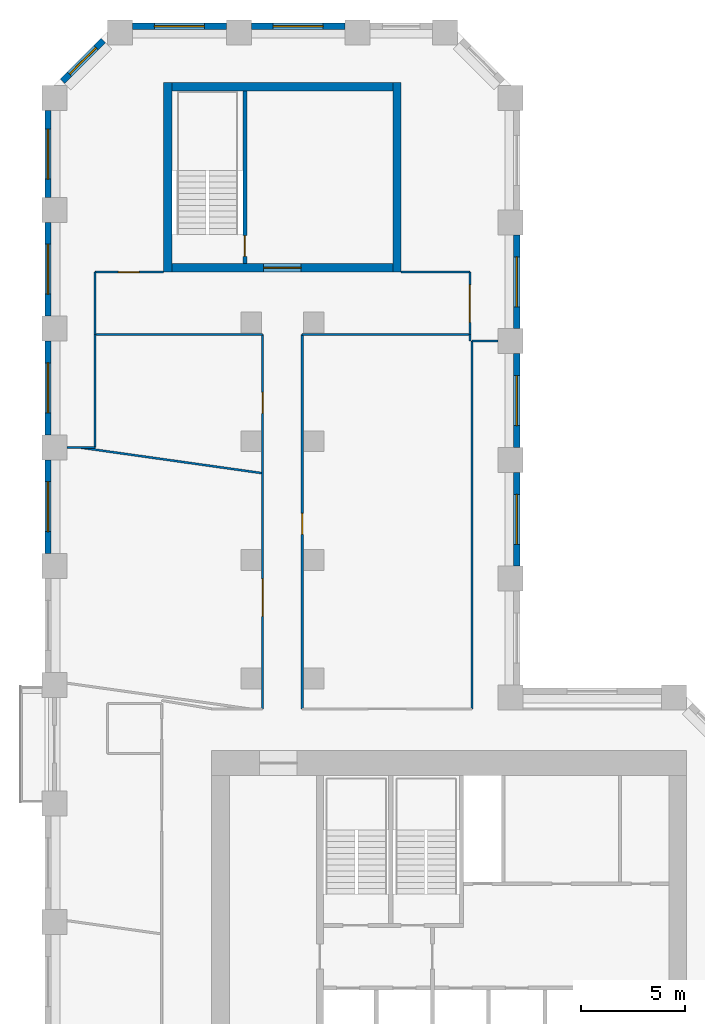
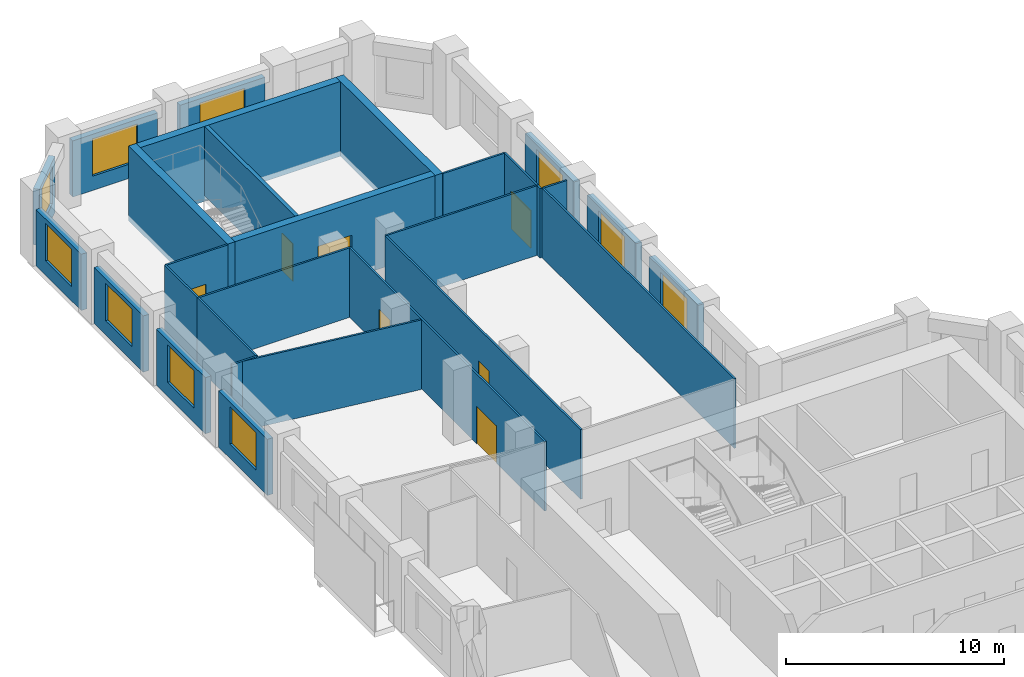
# One storey, part 8 of 10: 29 walls, 10 windows, 7 doors, 17 openings.
"""IFC4 building model written with IfcOpenShell, lengths in metres."""

from ifc_helpers import new_model, si_unit, direction, frame, frame_2d, origin, place, context, subcontext, project, spatial, rectangle, extrude, material, layer, layer_set, type_object, element, fill, save


model = new_model("IFC4")

# Units and contexts
model_context = context("Model", 3, precision=1e-05, world=origin(), true_north=direction((0.0, 1.0)))
body_context = subcontext(model_context, "Body", "Model", "MODEL_VIEW")
ifc_project = project(units=[si_unit("LENGTHUNIT", "METRE"), si_unit("AREAUNIT", "SQUARE_METRE"), si_unit("VOLUMEUNIT", "CUBIC_METRE"), si_unit("PLANEANGLEUNIT", "RADIAN"), si_unit("MASSUNIT", "GRAM", prefix="KILO")], contexts=[model_context])

# Site, building, storey
site_placement = place(None, origin())
site = spatial("IfcSite", under=ifc_project, at=site_placement, CompositionType="ELEMENT")
building_placement = place(site_placement, origin())
building = spatial("IfcBuilding", under=site, at=building_placement, Name="Meshkara Civic Tower", CompositionType="ELEMENT")
storey_placement = place(building_placement, frame((0.0, 0.0, 186.60009765625)))
storey = spatial("IfcBuildingStorey", under=building, at=storey_placement, Name="L42", CompositionType="ELEMENT", Elevation=186.60009765625)

# Walls
ifc_material_1 = material(Name="Corridor wall 100")
ifc_layer_1 = layer(ifc_material_1, 0.10009765625)
ifc_layer_set_1 = layer_set([ifc_layer_1], Name="Corridor wall 100")
wall_type_1 = type_object("IfcWallType", Name="Corridor wall 100", PredefinedType="PARTITIONING", material=ifc_layer_set_1)
wall_1_placement = place(storey_placement, frame((2.39990234375, 56.8701171875, 0.0), z_axis=(0.0, 0.0, 1.0), x_axis=(1.0, 0.0, 0.0)))
element("IfcWall", 1, at=wall_1_placement, inside=storey, type_object=wall_type_1, Name="L42-W001", PredefinedType="PARTITIONING", context=body_context, shape_type="SweptSolid", body=[
    extrude(rectangle(XDim=8.050048828125, YDim=0.10009765625, at=frame_2d((4.02490234375, 0.0))), origin(), (0.0, 0.0, 1.0), 3.89990234375),
])
wall_2_placement = place(storey_placement, frame((2.39990234375, 59.8701171875, 0.0), z_axis=(0.0, 0.0, 1.0), x_axis=(0.0, -1.0, 0.0)))
element("IfcWall", 2, at=wall_2_placement, inside=storey, type_object=wall_type_1, Name="L42-W002", PredefinedType="PARTITIONING", context=body_context, shape_type="SweptSolid", body=[
    extrude(rectangle(XDim=3.0, YDim=0.10009765625, at=frame_2d((1.5, 0.0))), origin(), (0.0, 0.0, 1.0), 3.89990234375),
])

# Wall, opening, door
wall_3_placement = place(storey_placement, frame((5.699951171875, 59.8701171875, 0.0), z_axis=(0.0, 0.0, 1.0), x_axis=(-1.0, 0.0, 0.0)))
wall_3 = element("IfcWall", 3, at=wall_3_placement, inside=storey, type_object=wall_type_1, Name="L42-W005", PredefinedType="PARTITIONING", context=body_context, shape_type="SweptSolid", body=[
    extrude(rectangle(XDim=3.300048828125, YDim=0.10009765625, at=frame_2d((1.64990234375, 0.0))), origin(), (0.0, 0.0, 1.0), 3.89990234375),
])
opening_1_placement = place(wall_3_placement, frame((1.179931640625, 0.0, 0.0)))
opening_1 = element("IfcOpeningElement", 4, at=opening_1_placement, cuts=wall_3, Name="Opening L42-D021", PredefinedType="OPENING", context=body_context, shape_type="SweptSolid", body=[
    extrude(rectangle(XDim=1.0, YDim=2.10009765625, at=frame_2d((0.5, 1.050048828125))), frame((0.0, 0.06005859375, 0.0), z_axis=(0.0, -1.0, 0.0), x_axis=(1.0, 0.0, 0.0)), (0.0, 0.0, 1.0), 0.1201171875),
])
ifc_material_2 = material(Name="Door 1000 x 2100")
door_type_1 = type_object("IfcDoorType", Name="Door 1000 x 2100", OperationType="SINGLE_SWING_LEFT", PredefinedType="DOOR", material=ifc_material_2)
door_1_placement = place(opening_1_placement, origin())
door_1 = element("IfcDoor", 5, at=door_1_placement, inside=storey, type_object=door_type_1, Name="L42-D021", OperationType="SINGLE_SWING_LEFT", OverallHeight=2.10009765625, OverallWidth=1.0, PredefinedType="DOOR", context=body_context, shape_type="SweptSolid", body=[
    extrude(rectangle(XDim=1.0, YDim=2.10009765625, at=frame_2d((0.5, 1.050048828125))), frame((0.0, 0.02490234375, 0.0), z_axis=(0.0, -1.0, 0.0), x_axis=(1.0, 0.0, 0.0)), (0.0, 0.0, 1.0), 0.050048828125),
])
fill(opening_1, door_1)

# Wall, openings, doors
wall_4_placement = place(storey_placement, frame((10.449951171875, 56.8701171875, 0.0), z_axis=(0.0, 0.0, 1.0), x_axis=(0.0, -1.0, 0.0)))
wall_4 = element("IfcWall", 6, at=wall_4_placement, inside=storey, type_object=wall_type_1, Name="L42-W013", PredefinedType="PARTITIONING", context=body_context, shape_type="SweptSolid", body=[
    extrude(rectangle(XDim=17.97021484375, YDim=0.10009765625, at=frame_2d((8.985107421875, 0.0))), origin(), (0.0, 0.0, 1.0), 3.89990234375),
])
opening_2_placement = place(wall_4_placement, frame((11.73095703125, 0.0, 0.0)))
opening_2 = element("IfcOpeningElement", 7, at=opening_2_placement, cuts=wall_4, Name="Opening L42-D018", PredefinedType="OPENING", context=body_context, shape_type="SweptSolid", body=[
    extrude(rectangle(XDim=1.800048828125, YDim=2.10009765625, at=frame_2d((0.89990234375, 1.050048828125))), frame((0.0, 0.06005859375, 0.0), z_axis=(0.0, -1.0, 0.0), x_axis=(1.0, 0.0, 0.0)), (0.0, 0.0, 1.0), 0.1201171875),
])
opening_3_placement = place(wall_4_placement, frame((2.780029296875, 0.0, 0.0)))
opening_3 = element("IfcOpeningElement", 8, at=opening_3_placement, cuts=wall_4, Name="Opening L42-D020", PredefinedType="OPENING", context=body_context, shape_type="SweptSolid", body=[
    extrude(rectangle(XDim=1.0, YDim=2.10009765625, at=frame_2d((0.5, 1.050048828125))), frame((0.0, 0.06005859375, 0.0), z_axis=(0.0, -1.0, 0.0), x_axis=(1.0, 0.0, 0.0)), (0.0, 0.0, 1.0), 0.1201171875),
])
door_2_placement = place(opening_3_placement, origin())
door_2 = element("IfcDoor", 9, at=door_2_placement, inside=storey, type_object=door_type_1, Name="L42-D020", OperationType="SINGLE_SWING_RIGHT", OverallHeight=2.10009765625, OverallWidth=1.0, PredefinedType="DOOR", context=body_context, shape_type="SweptSolid", body=[
    extrude(rectangle(XDim=1.0, YDim=2.10009765625, at=frame_2d((0.5, 1.050048828125))), frame((0.0, 0.02490234375, 0.0), z_axis=(0.0, -1.0, 0.0), x_axis=(1.0, 0.0, 0.0)), (0.0, 0.0, 1.0), 0.050048828125),
])
fill(opening_3, door_2)
ifc_material_3 = material(Name="Door pair 1800 x 2100")
door_type_2 = type_object("IfcDoorType", Name="Door pair 1800 x 2100", OperationType="SINGLE_SWING_LEFT", PredefinedType="DOOR", material=ifc_material_3)
door_3_placement = place(opening_2_placement, origin())
door_3 = element("IfcDoor", 10, at=door_3_placement, inside=storey, type_object=door_type_2, Name="L42-D018", OperationType="DOUBLE_DOOR_SINGLE_SWING", OverallHeight=2.10009765625, OverallWidth=1.800048828125, PredefinedType="DOOR", context=body_context, shape_type="SweptSolid", body=[
    extrude(rectangle(XDim=1.800048828125, YDim=2.10009765625, at=frame_2d((0.89990234375, 1.050048828125))), frame((0.0, 0.02490234375, 0.0), z_axis=(0.0, -1.0, 0.0), x_axis=(1.0, 0.0, 0.0)), (0.0, 0.0, 1.0), 0.050048828125),
])
fill(opening_2, door_3)

# Wall, opening, door
wall_5_placement = place(storey_placement, frame((12.35009765625, 38.89990234375, 0.0), z_axis=(0.0, 0.0, 1.0), x_axis=(0.0, 1.0, 0.0)))
wall_5 = element("IfcWall", 11, at=wall_5_placement, inside=storey, type_object=wall_type_1, Name="L42-W014", PredefinedType="PARTITIONING", context=body_context, shape_type="SweptSolid", body=[
    extrude(rectangle(XDim=17.97021484375, YDim=0.10009765625, at=frame_2d((8.985107421875, 0.0))), origin(), (0.0, 0.0, 1.0), 3.89990234375),
])
opening_4_placement = place(wall_5_placement, frame((8.3798828125, 0.0, 0.0)))
opening_4 = element("IfcOpeningElement", 12, at=opening_4_placement, cuts=wall_5, Name="Opening L42-D019", PredefinedType="OPENING", context=body_context, shape_type="SweptSolid", body=[
    extrude(rectangle(XDim=1.0, YDim=2.10009765625, at=frame_2d((0.5, 1.050048828125))), frame((0.0, 0.06005859375, 0.0), z_axis=(0.0, -1.0, 0.0), x_axis=(1.0, 0.0, 0.0)), (0.0, 0.0, 1.0), 0.1201171875),
])
door_4_placement = place(opening_4_placement, origin())
door_4 = element("IfcDoor", 13, at=door_4_placement, inside=storey, type_object=door_type_1, Name="L42-D019", OperationType="SINGLE_SWING_RIGHT", OverallHeight=2.10009765625, OverallWidth=1.0, PredefinedType="DOOR", context=body_context, shape_type="SweptSolid", body=[
    extrude(rectangle(XDim=1.0, YDim=2.10009765625, at=frame_2d((0.5, 1.050048828125))), frame((0.0, 0.02490234375, 0.0), z_axis=(0.0, -1.0, 0.0), x_axis=(1.0, 0.0, 0.0)), (0.0, 0.0, 1.0), 0.050048828125),
])
fill(opening_4, door_4)

# Wall
wall_6_placement = place(storey_placement, frame((12.35009765625, 56.8701171875, 0.0), z_axis=(0.0, 0.0, 1.0), x_axis=(1.0, 0.0, 0.0)))
element("IfcWall", 14, at=wall_6_placement, inside=storey, type_object=wall_type_1, Name="L42-W015", PredefinedType="PARTITIONING", context=body_context, shape_type="SweptSolid", body=[
    extrude(rectangle(XDim=8.0498046875, YDim=0.10009765625, at=frame_2d((4.02490234375, 0.0))), origin(), (0.0, 0.0, 1.0), 3.89990234375),
])

# Wall, opening, door
wall_7_placement = place(storey_placement, frame((20.39990234375, 56.8701171875, 0.0), z_axis=(0.0, 0.0, 1.0), x_axis=(0.0, 1.0, 0.0)))
wall_7 = element("IfcWall", 15, at=wall_7_placement, inside=storey, type_object=wall_type_1, Name="L42-W017", PredefinedType="PARTITIONING", context=body_context, shape_type="SweptSolid", body=[
    extrude(rectangle(XDim=3.0, YDim=0.10009765625, at=frame_2d((1.5, 0.0))), origin(), (0.0, 0.0, 1.0), 3.89990234375),
])
opening_5_placement = place(wall_7_placement, frame((0.580078125, 0.0, 0.0)))
opening_5 = element("IfcOpeningElement", 16, at=opening_5_placement, cuts=wall_7, Name="Opening L42-D022", PredefinedType="OPENING", context=body_context, shape_type="SweptSolid", body=[
    extrude(rectangle(XDim=1.800048828125, YDim=2.10009765625, at=frame_2d((0.89990234375, 1.050048828125))), frame((0.0, 0.06005859375, 0.0), z_axis=(0.0, -1.0, 0.0), x_axis=(1.0, 0.0, 0.0)), (0.0, 0.0, 1.0), 0.1201171875),
])
door_5_placement = place(opening_5_placement, origin())
door_5 = element("IfcDoor", 17, at=door_5_placement, inside=storey, type_object=door_type_2, Name="L42-D022", OperationType="DOUBLE_DOOR_SINGLE_SWING", OverallHeight=2.10009765625, OverallWidth=1.800048828125, PredefinedType="DOOR", context=body_context, shape_type="SweptSolid", body=[
    extrude(rectangle(XDim=1.800048828125, YDim=2.10009765625, at=frame_2d((0.89990234375, 1.050048828125))), frame((0.0, 0.02490234375, 0.0), z_axis=(0.0, -1.0, 0.0), x_axis=(1.0, 0.0, 0.0)), (0.0, 0.0, 1.0), 0.050048828125),
])
fill(opening_5, door_5)

# Walls
wall_8_placement = place(storey_placement, frame((20.39990234375, 59.8701171875, 0.0), z_axis=(0.0, 0.0, 1.0), x_axis=(-1.0, 0.0, 0.0)))
element("IfcWall", 18, at=wall_8_placement, inside=storey, type_object=wall_type_1, Name="L42-W018", PredefinedType="PARTITIONING", context=body_context, shape_type="SweptSolid", body=[
    extrude(rectangle(XDim=3.2998046875, YDim=0.10009765625, at=frame_2d((1.64990234375, 0.0))), origin(), (0.0, 0.0, 1.0), 3.89990234375),
])
wall_9_placement = place(storey_placement, frame((20.5, 56.550048828125, 0.0), z_axis=(0.0, 0.0, 1.0), x_axis=(0.0, -1.0, 0.0)))
element("IfcWall", 19, at=wall_9_placement, inside=storey, type_object=wall_type_1, Name="L42-W020", PredefinedType="PARTITIONING", context=body_context, shape_type="SweptSolid", body=[
    extrude(rectangle(XDim=17.650146484375, YDim=0.10009765625, at=frame_2d((8.8251953125, 0.0))), origin(), (0.0, 0.0, 1.0), 3.89990234375),
])
wall_10_placement = place(storey_placement, frame((21.75, 56.550048828125, 0.0), z_axis=(0.0, 0.0, 1.0), x_axis=(-1.0, 0.0, 0.0)))
element("IfcWall", 20, at=wall_10_placement, inside=storey, type_object=wall_type_1, Name="L42-W021", PredefinedType="PARTITIONING", context=body_context, shape_type="SweptSolid", body=[
    extrude(rectangle(XDim=1.25, YDim=0.10009765625, at=frame_2d((0.625, 0.0))), origin(), (0.0, 0.0, 1.0), 3.89990234375),
])

# Wall, opening, window
ifc_material_4 = material(Name="Insulated infill panel with bronze anodised aluminium cladding", Category="aluminium")
ifc_layer_2 = layer(ifc_material_4, 0.300048828125)
ifc_layer_set_2 = layer_set([ifc_layer_2], Name="EXTERNAL INFILL WALL 300")
wall_type_2 = type_object("IfcWallType", Name="EXTERNAL INFILL WALL 300", PredefinedType="SOLIDWALL", material=ifc_layer_set_2)
wall_11_placement = place(storey_placement, frame((22.64990234375, 45.75, 0.0), z_axis=(0.0, 0.0, 1.0), x_axis=(0.0, 1.0, 0.0)))
wall_11 = element("IfcWall", 21, at=wall_11_placement, inside=storey, type_object=wall_type_2, Name="External wall", PredefinedType="SOLIDWALL", context=body_context, shape_type="SweptSolid", body=[
    extrude(rectangle(XDim=4.5, YDim=0.300048828125, at=frame_2d((2.25, 0.0))), origin(), (0.0, 0.0, 1.0), 3.14990234375),
])
opening_6_placement = place(wall_11_placement, frame((1.050048828125, 0.0, 0.800048828125)))
opening_6 = element("IfcOpeningElement", 22, at=opening_6_placement, cuts=wall_11, Name="Opening W7", PredefinedType="OPENING", context=body_context, shape_type="SweptSolid", body=[
    extrude(rectangle(XDim=2.39990234375, YDim=2.10009765625, at=frame_2d((1.199951171875, 1.050048828125))), frame((0.0, 0.159912109375, 0.0), z_axis=(0.0, -1.0, 0.0), x_axis=(1.0, 0.0, 0.0)), (0.0, 0.0, 1.0), 0.320068359375),
])
ifc_material_5 = material(Name="Tinted double glazing", Category="glass")
window_type_1 = type_object("IfcWindowType", Name="WINDOW 2400x2100", PartitioningType="DOUBLE_PANEL_VERTICAL", PredefinedType="WINDOW", material=ifc_material_5)
window_1_placement = place(opening_6_placement, origin())
window_1 = element("IfcWindow", 23, at=window_1_placement, inside=storey, type_object=window_type_1, Name="Window", OverallHeight=2.10009765625, OverallWidth=2.39990234375, PartitioningType="DOUBLE_PANEL_VERTICAL", PredefinedType="WINDOW", context=body_context, shape_type="SweptSolid", body=[
    extrude(rectangle(XDim=2.39990234375, YDim=2.10009765625, at=frame_2d((1.199951171875, 1.050048828125))), frame((0.0, 0.030029296875, 0.0), z_axis=(0.0, -1.0, 0.0), x_axis=(1.0, 0.0, 0.0)), (0.0, 0.0, 1.0), 0.06005859375),
])
fill(opening_6, window_1)

wall_12_placement = place(storey_placement, frame((22.64990234375, 51.449951171875, 0.0), z_axis=(0.0, 0.0, 1.0), x_axis=(0.0, 1.0, 0.0)))
wall_12 = element("IfcWall", 24, at=wall_12_placement, inside=storey, type_object=wall_type_2, Name="External wall", PredefinedType="SOLIDWALL", context=body_context, shape_type="SweptSolid", body=[
    extrude(rectangle(XDim=4.5, YDim=0.300048828125, at=frame_2d((2.25, 0.0))), origin(), (0.0, 0.0, 1.0), 3.14990234375),
])
opening_7_placement = place(wall_12_placement, frame((1.050048828125, 0.0, 0.800048828125)))
opening_7 = element("IfcOpeningElement", 25, at=opening_7_placement, cuts=wall_12, Name="Opening W7", PredefinedType="OPENING", context=body_context, shape_type="SweptSolid", body=[
    extrude(rectangle(XDim=2.39990234375, YDim=2.10009765625, at=frame_2d((1.199951171875, 1.050048828125))), frame((0.0, 0.159912109375, 0.0), z_axis=(0.0, -1.0, 0.0), x_axis=(1.0, 0.0, 0.0)), (0.0, 0.0, 1.0), 0.320068359375),
])
window_2_placement = place(opening_7_placement, origin())
window_2 = element("IfcWindow", 26, at=window_2_placement, inside=storey, type_object=window_type_1, Name="Window", OverallHeight=2.10009765625, OverallWidth=2.39990234375, PartitioningType="DOUBLE_PANEL_VERTICAL", PredefinedType="WINDOW", context=body_context, shape_type="SweptSolid", body=[
    extrude(rectangle(XDim=2.39990234375, YDim=2.10009765625, at=frame_2d((1.199951171875, 1.050048828125))), frame((0.0, 0.030029296875, 0.0), z_axis=(0.0, -1.0, 0.0), x_axis=(1.0, 0.0, 0.0)), (0.0, 0.0, 1.0), 0.06005859375),
])
fill(opening_7, window_2)

wall_13_placement = place(storey_placement, frame((22.64990234375, 57.14990234375, 0.0), z_axis=(0.0, 0.0, 1.0), x_axis=(0.0, 1.0, 0.0)))
wall_13 = element("IfcWall", 27, at=wall_13_placement, inside=storey, type_object=wall_type_2, Name="External wall", PredefinedType="SOLIDWALL", context=body_context, shape_type="SweptSolid", body=[
    extrude(rectangle(XDim=4.5, YDim=0.300048828125, at=frame_2d((2.25, 0.0))), origin(), (0.0, 0.0, 1.0), 3.14990234375),
])
opening_8_placement = place(wall_13_placement, frame((1.050048828125, 0.0, 0.800048828125)))
opening_8 = element("IfcOpeningElement", 28, at=opening_8_placement, cuts=wall_13, Name="Opening W7", PredefinedType="OPENING", context=body_context, shape_type="SweptSolid", body=[
    extrude(rectangle(XDim=2.39990234375, YDim=2.10009765625, at=frame_2d((1.199951171875, 1.050048828125))), frame((0.0, 0.159912109375, 0.0), z_axis=(0.0, -1.0, 0.0), x_axis=(1.0, 0.0, 0.0)), (0.0, 0.0, 1.0), 0.320068359375),
])
window_3_placement = place(opening_8_placement, origin())
window_3 = element("IfcWindow", 29, at=window_3_placement, inside=storey, type_object=window_type_1, Name="Window", OverallHeight=2.10009765625, OverallWidth=2.39990234375, PartitioningType="DOUBLE_PANEL_VERTICAL", PredefinedType="WINDOW", context=body_context, shape_type="SweptSolid", body=[
    extrude(rectangle(XDim=2.39990234375, YDim=2.10009765625, at=frame_2d((1.199951171875, 1.050048828125))), frame((0.0, 0.030029296875, 0.0), z_axis=(0.0, -1.0, 0.0), x_axis=(1.0, 0.0, 0.0)), (0.0, 0.0, 1.0), 0.06005859375),
])
fill(opening_8, window_3)

wall_14_placement = place(storey_placement, frame((14.406005859375, 71.669921875, 0.0), z_axis=(0.0, 0.0, 1.0), x_axis=(-1.0, 0.0, 0.0)))
wall_14 = element("IfcWall", 30, at=wall_14_placement, inside=storey, type_object=wall_type_2, Name="External wall", PredefinedType="SOLIDWALL", context=body_context, shape_type="SweptSolid", body=[
    extrude(rectangle(XDim=4.5, YDim=0.300048828125, at=frame_2d((2.25, 0.0))), origin(), (0.0, 0.0, 1.0), 3.14990234375),
])
opening_9_placement = place(wall_14_placement, frame((1.050048828125, 0.0, 0.800048828125)))
opening_9 = element("IfcOpeningElement", 31, at=opening_9_placement, cuts=wall_14, Name="Opening W7", PredefinedType="OPENING", context=body_context, shape_type="SweptSolid", body=[
    extrude(rectangle(XDim=2.39990234375, YDim=2.10009765625, at=frame_2d((1.199951171875, 1.050048828125))), frame((0.0, 0.159912109375, 0.0), z_axis=(0.0, -1.0, 0.0), x_axis=(1.0, 0.0, 0.0)), (0.0, 0.0, 1.0), 0.320068359375),
])
window_4_placement = place(opening_9_placement, origin())
window_4 = element("IfcWindow", 32, at=window_4_placement, inside=storey, type_object=window_type_1, Name="Window", OverallHeight=2.10009765625, OverallWidth=2.39990234375, PartitioningType="DOUBLE_PANEL_VERTICAL", PredefinedType="WINDOW", context=body_context, shape_type="SweptSolid", body=[
    extrude(rectangle(XDim=2.39990234375, YDim=2.10009765625, at=frame_2d((1.199951171875, 1.050048828125))), frame((0.0, 0.030029296875, 0.0), z_axis=(0.0, -1.0, 0.0), x_axis=(1.0, 0.0, 0.0)), (0.0, 0.0, 1.0), 0.06005859375),
])
fill(opening_9, window_4)

wall_15_placement = place(storey_placement, frame((8.7060546875, 71.669921875, 0.0), z_axis=(0.0, 0.0, 1.0), x_axis=(-1.0, 0.0, 0.0)))
wall_15 = element("IfcWall", 33, at=wall_15_placement, inside=storey, type_object=wall_type_2, Name="External wall", PredefinedType="SOLIDWALL", context=body_context, shape_type="SweptSolid", body=[
    extrude(rectangle(XDim=4.5, YDim=0.300048828125, at=frame_2d((2.25, 0.0))), origin(), (0.0, 0.0, 1.0), 3.14990234375),
])
opening_10_placement = place(wall_15_placement, frame((1.050048828125, 0.0, 0.800048828125)))
opening_10 = element("IfcOpeningElement", 34, at=opening_10_placement, cuts=wall_15, Name="Opening W7", PredefinedType="OPENING", context=body_context, shape_type="SweptSolid", body=[
    extrude(rectangle(XDim=2.39990234375, YDim=2.10009765625, at=frame_2d((1.199951171875, 1.050048828125))), frame((0.0, 0.159912109375, 0.0), z_axis=(0.0, -1.0, 0.0), x_axis=(1.0, 0.0, 0.0)), (0.0, 0.0, 1.0), 0.320068359375),
])
window_5_placement = place(opening_10_placement, origin())
window_5 = element("IfcWindow", 35, at=window_5_placement, inside=storey, type_object=window_type_1, Name="Window", OverallHeight=2.10009765625, OverallWidth=2.39990234375, PartitioningType="DOUBLE_PANEL_VERTICAL", PredefinedType="WINDOW", context=body_context, shape_type="SweptSolid", body=[
    extrude(rectangle(XDim=2.39990234375, YDim=2.10009765625, at=frame_2d((1.199951171875, 1.050048828125))), frame((0.0, 0.030029296875, 0.0), z_axis=(0.0, -1.0, 0.0), x_axis=(1.0, 0.0, 0.0)), (0.0, 0.0, 1.0), 0.06005859375),
])
fill(opening_10, window_5)

wall_16_placement = place(storey_placement, frame((2.7939453125, 70.98193359375, 0.0), z_axis=(0.0, 0.0, 1.0), x_axis=(-0.707106781187, -0.707106781187, 0.0)))
wall_16 = element("IfcWall", 36, at=wall_16_placement, inside=storey, type_object=wall_type_2, Name="External wall", PredefinedType="SOLIDWALL", context=body_context, shape_type="SweptSolid", body=[
    extrude(rectangle(XDim=2.766357421875, YDim=0.300048828125, at=frame_2d((1.38330078125, 0.0))), origin(), (0.0, 0.0, 1.0), 3.14990234375),
])
opening_11_placement = place(wall_16_placement, frame((0.48291015625, 0.0, 0.800048828125)))
opening_11 = element("IfcOpeningElement", 37, at=opening_11_placement, cuts=wall_16, Name="Opening W9", PredefinedType="OPENING", context=body_context, shape_type="SweptSolid", body=[
    extrude(rectangle(XDim=1.800048828125, YDim=2.10009765625, at=frame_2d((0.89990234375, 1.050048828125))), frame((0.0, 0.159912109375, 0.0), z_axis=(0.0, -1.0, 0.0), x_axis=(1.0, 0.0, 0.0)), (0.0, 0.0, 1.0), 0.320068359375),
])
ifc_material_6 = material(Name="Tinted double glazing", Category="glass")
window_type_2 = type_object("IfcWindowType", Name="WINDOW 1800x2100", PartitioningType="DOUBLE_PANEL_VERTICAL", PredefinedType="WINDOW", material=ifc_material_6)
window_6_placement = place(opening_11_placement, origin())
window_6 = element("IfcWindow", 38, at=window_6_placement, inside=storey, type_object=window_type_2, Name="Window", OverallHeight=2.10009765625, OverallWidth=1.800048828125, PartitioningType="DOUBLE_PANEL_VERTICAL", PredefinedType="WINDOW", context=body_context, shape_type="SweptSolid", body=[
    extrude(rectangle(XDim=1.800048828125, YDim=2.10009765625, at=frame_2d((0.89990234375, 1.050048828125))), frame((0.0, 0.030029296875, 0.0), z_axis=(0.0, -1.0, 0.0), x_axis=(1.0, 0.0, 0.0)), (0.0, 0.0, 1.0), 0.06005859375),
])
fill(opening_11, window_6)

wall_17_placement = place(storey_placement, frame((0.14990234375, 67.614013671875, 0.0), z_axis=(0.0, 0.0, 1.0), x_axis=(0.0, -1.0, 0.0)))
wall_17 = element("IfcWall", 39, at=wall_17_placement, inside=storey, type_object=wall_type_2, Name="External wall", PredefinedType="SOLIDWALL", context=body_context, shape_type="SweptSolid", body=[
    extrude(rectangle(XDim=4.158935546875, YDim=0.300048828125, at=frame_2d((2.07958984375, 0.0))), origin(), (0.0, 0.0, 1.0), 3.14990234375),
])
opening_12_placement = place(wall_17_placement, frame((0.8798828125, 0.0, 0.800048828125)))
opening_12 = element("IfcOpeningElement", 40, at=opening_12_placement, cuts=wall_17, Name="Opening W7", PredefinedType="OPENING", context=body_context, shape_type="SweptSolid", body=[
    extrude(rectangle(XDim=2.39990234375, YDim=2.10009765625, at=frame_2d((1.199951171875, 1.050048828125))), frame((0.0, 0.159912109375, 0.0), z_axis=(0.0, -1.0, 0.0), x_axis=(1.0, 0.0, 0.0)), (0.0, 0.0, 1.0), 0.320068359375),
])
window_7_placement = place(opening_12_placement, origin())
window_7 = element("IfcWindow", 41, at=window_7_placement, inside=storey, type_object=window_type_1, Name="Window", OverallHeight=2.10009765625, OverallWidth=2.39990234375, PartitioningType="DOUBLE_PANEL_VERTICAL", PredefinedType="WINDOW", context=body_context, shape_type="SweptSolid", body=[
    extrude(rectangle(XDim=2.39990234375, YDim=2.10009765625, at=frame_2d((1.199951171875, 1.050048828125))), frame((0.0, 0.030029296875, 0.0), z_axis=(0.0, -1.0, 0.0), x_axis=(1.0, 0.0, 0.0)), (0.0, 0.0, 1.0), 0.06005859375),
])
fill(opening_12, window_7)

wall_18_placement = place(storey_placement, frame((0.14990234375, 62.2548828125, 0.0), z_axis=(0.0, 0.0, 1.0), x_axis=(0.0, -1.0, 0.0)))
wall_18 = element("IfcWall", 42, at=wall_18_placement, inside=storey, type_object=wall_type_2, Name="External wall", PredefinedType="SOLIDWALL", context=body_context, shape_type="SweptSolid", body=[
    extrude(rectangle(XDim=4.5, YDim=0.300048828125, at=frame_2d((2.25, 0.0))), origin(), (0.0, 0.0, 1.0), 3.14990234375),
])
opening_13_placement = place(wall_18_placement, frame((1.050048828125, 0.0, 0.800048828125)))
opening_13 = element("IfcOpeningElement", 43, at=opening_13_placement, cuts=wall_18, Name="Opening W7", PredefinedType="OPENING", context=body_context, shape_type="SweptSolid", body=[
    extrude(rectangle(XDim=2.39990234375, YDim=2.10009765625, at=frame_2d((1.199951171875, 1.050048828125))), frame((0.0, 0.159912109375, 0.0), z_axis=(0.0, -1.0, 0.0), x_axis=(1.0, 0.0, 0.0)), (0.0, 0.0, 1.0), 0.320068359375),
])
window_8_placement = place(opening_13_placement, origin())
window_8 = element("IfcWindow", 44, at=window_8_placement, inside=storey, type_object=window_type_1, Name="Window", OverallHeight=2.10009765625, OverallWidth=2.39990234375, PartitioningType="DOUBLE_PANEL_VERTICAL", PredefinedType="WINDOW", context=body_context, shape_type="SweptSolid", body=[
    extrude(rectangle(XDim=2.39990234375, YDim=2.10009765625, at=frame_2d((1.199951171875, 1.050048828125))), frame((0.0, 0.030029296875, 0.0), z_axis=(0.0, -1.0, 0.0), x_axis=(1.0, 0.0, 0.0)), (0.0, 0.0, 1.0), 0.06005859375),
])
fill(opening_13, window_8)

wall_19_placement = place(storey_placement, frame((0.14990234375, 56.554931640625, 0.0), z_axis=(0.0, 0.0, 1.0), x_axis=(0.0, -1.0, 0.0)))
wall_19 = element("IfcWall", 45, at=wall_19_placement, inside=storey, type_object=wall_type_2, Name="External wall", PredefinedType="SOLIDWALL", context=body_context, shape_type="SweptSolid", body=[
    extrude(rectangle(XDim=4.5, YDim=0.300048828125, at=frame_2d((2.25, 0.0))), origin(), (0.0, 0.0, 1.0), 3.14990234375),
])
opening_14_placement = place(wall_19_placement, frame((1.050048828125, 0.0, 0.800048828125)))
opening_14 = element("IfcOpeningElement", 46, at=opening_14_placement, cuts=wall_19, Name="Opening W7", PredefinedType="OPENING", context=body_context, shape_type="SweptSolid", body=[
    extrude(rectangle(XDim=2.39990234375, YDim=2.10009765625, at=frame_2d((1.199951171875, 1.050048828125))), frame((0.0, 0.159912109375, 0.0), z_axis=(0.0, -1.0, 0.0), x_axis=(1.0, 0.0, 0.0)), (0.0, 0.0, 1.0), 0.320068359375),
])
window_9_placement = place(opening_14_placement, origin())
window_9 = element("IfcWindow", 47, at=window_9_placement, inside=storey, type_object=window_type_1, Name="Window", OverallHeight=2.10009765625, OverallWidth=2.39990234375, PartitioningType="DOUBLE_PANEL_VERTICAL", PredefinedType="WINDOW", context=body_context, shape_type="SweptSolid", body=[
    extrude(rectangle(XDim=2.39990234375, YDim=2.10009765625, at=frame_2d((1.199951171875, 1.050048828125))), frame((0.0, 0.030029296875, 0.0), z_axis=(0.0, -1.0, 0.0), x_axis=(1.0, 0.0, 0.0)), (0.0, 0.0, 1.0), 0.06005859375),
])
fill(opening_14, window_9)

wall_20_placement = place(storey_placement, frame((0.14990234375, 50.85498046875, 0.0), z_axis=(0.0, 0.0, 1.0), x_axis=(0.0, -1.0, 0.0)))
wall_20 = element("IfcWall", 48, at=wall_20_placement, inside=storey, type_object=wall_type_2, Name="External wall", PredefinedType="SOLIDWALL", context=body_context, shape_type="SweptSolid", body=[
    extrude(rectangle(XDim=4.5, YDim=0.300048828125, at=frame_2d((2.25, 0.0))), origin(), (0.0, 0.0, 1.0), 3.14990234375),
])
opening_15_placement = place(wall_20_placement, frame((1.050048828125, 0.0, 0.800048828125)))
opening_15 = element("IfcOpeningElement", 49, at=opening_15_placement, cuts=wall_20, Name="Opening W7", PredefinedType="OPENING", context=body_context, shape_type="SweptSolid", body=[
    extrude(rectangle(XDim=2.39990234375, YDim=2.10009765625, at=frame_2d((1.199951171875, 1.050048828125))), frame((0.0, 0.159912109375, 0.0), z_axis=(0.0, -1.0, 0.0), x_axis=(1.0, 0.0, 0.0)), (0.0, 0.0, 1.0), 0.320068359375),
])
window_10_placement = place(opening_15_placement, origin())
window_10 = element("IfcWindow", 50, at=window_10_placement, inside=storey, type_object=window_type_1, Name="Window", OverallHeight=2.10009765625, OverallWidth=2.39990234375, PartitioningType="DOUBLE_PANEL_VERTICAL", PredefinedType="WINDOW", context=body_context, shape_type="SweptSolid", body=[
    extrude(rectangle(XDim=2.39990234375, YDim=2.10009765625, at=frame_2d((1.199951171875, 1.050048828125))), frame((0.0, 0.030029296875, 0.0), z_axis=(0.0, -1.0, 0.0), x_axis=(1.0, 0.0, 0.0)), (0.0, 0.0, 1.0), 0.06005859375),
])
fill(opening_15, window_10)

# Walls
ifc_material_7 = material(Name="Concrete C70", Category="concrete")
ifc_layer_3 = layer(ifc_material_7, 0.39990234375)
ifc_layer_set_3 = layer_set([ifc_layer_3], Name="End core ring wall 400 C70")
wall_type_3 = type_object("IfcWallType", Name="End core ring wall 400 C70", PredefinedType="SHEAR", material=ifc_layer_set_3)
for number, where, z_axis, x_axis, name in (
    (51, (5.89990234375, 59.8701171875, -0.300048828125), (0.0, 0.0, 1.0), (0.0, 1.0, 0.0), "L42-C023"),
    (52, (16.89990234375, 59.8701171875, -0.300048828125), (0.0, 0.0, 1.0), (0.0, 1.0, 0.0), "L42-C024"),
):
    element("IfcWall", number, at=place(storey_placement, frame(where, z_axis=z_axis, x_axis=x_axis)), inside=storey, type_object=wall_type_3, Name=name, PredefinedType="SHEAR", context=body_context, shape_type="SweptSolid", body=[
        extrude(rectangle(XDim=9.099853515625, YDim=0.39990234375, at=frame_2d((4.5498046875, 0.0))), origin(), (0.0, 0.0, 1.0), 4.199951171875),
    ])

# Wall, opening, door
wall_21_placement = place(storey_placement, frame((6.10009765625, 60.070068359375, -0.300048828125), z_axis=(0.0, 0.0, 1.0), x_axis=(1.0, 0.0, 0.0)))
wall_21 = element("IfcWall", 53, at=wall_21_placement, inside=storey, type_object=wall_type_3, Name="L42-C025", PredefinedType="SHEAR", context=body_context, shape_type="SweptSolid", body=[
    extrude(rectangle(XDim=10.599853515625, YDim=0.39990234375, at=frame_2d((5.2998046875, 0.0))), origin(), (0.0, 0.0, 1.0), 4.199951171875),
])
opening_16_placement = place(wall_21_placement, frame((4.39990234375, 0.0, 0.300048828125)))
opening_16 = element("IfcOpeningElement", 54, at=opening_16_placement, cuts=wall_21, Name="Opening L42-K102", PredefinedType="OPENING", context=body_context, shape_type="SweptSolid", body=[
    extrude(rectangle(XDim=1.800048828125, YDim=2.10009765625, at=frame_2d((0.89990234375, 1.050048828125))), frame((0.0, 0.2099609375, 0.0), z_axis=(0.0, -1.0, 0.0), x_axis=(1.0, 0.0, 0.0)), (0.0, 0.0, 1.0), 0.419921875),
])
ifc_material_8 = material(Name="Fire-rated door leaf in steel frame", Category="steel")
door_type_3 = type_object("IfcDoorType", Name="Core double door 1800 EI 60", OperationType="DOUBLE_DOOR_SINGLE_SWING", PredefinedType="DOOR", material=ifc_material_8)
door_6_placement = place(opening_16_placement, origin())
door_6 = element("IfcDoor", 55, at=door_6_placement, inside=storey, type_object=door_type_3, Name="L42-K102", OperationType="DOUBLE_DOOR_SINGLE_SWING", OverallHeight=2.10009765625, OverallWidth=1.800048828125, PredefinedType="DOOR", context=body_context, shape_type="SweptSolid", body=[
    extrude(rectangle(XDim=1.800048828125, YDim=2.10009765625, at=frame_2d((0.89990234375, 1.050048828125))), frame((0.0, 0.02490234375, 0.0), z_axis=(0.0, -1.0, 0.0), x_axis=(1.0, 0.0, 0.0)), (0.0, 0.0, 1.0), 0.050048828125),
])
fill(opening_16, door_6)

# Walls
wall_22_placement = place(storey_placement, frame((6.10009765625, 68.77001953125, -0.300048828125), z_axis=(0.0, 0.0, 1.0), x_axis=(1.0, 0.0, 0.0)))
element("IfcWall", 56, at=wall_22_placement, inside=storey, type_object=wall_type_3, Name="L42-C026", PredefinedType="SHEAR", context=body_context, shape_type="SweptSolid", body=[
    extrude(rectangle(XDim=10.599853515625, YDim=0.39990234375, at=frame_2d((5.2998046875, 0.0))), origin(), (0.0, 0.0, 1.0), 4.199951171875),
])
ifc_material_9 = material(Name="Partition 100")
ifc_layer_4 = layer(ifc_material_9, 0.10009765625)
ifc_layer_set_4 = layer_set([ifc_layer_4], Name="Partition 100")
wall_type_4 = type_object("IfcWallType", Name="Partition 100", PredefinedType="PARTITIONING", material=ifc_layer_set_4)
wall_23_placement = place(storey_placement, frame((1.050048828125, 51.455078125, 0.0), z_axis=(0.0, 0.0, 1.0), x_axis=(1.0, 0.0, 0.0)))
element("IfcWall", 57, at=wall_23_placement, inside=storey, type_object=wall_type_4, Name="L42-W041", PredefinedType="PARTITIONING", context=body_context, shape_type="SweptSolid", body=[
    extrude(rectangle(XDim=1.349853515625, YDim=0.10009765625, at=frame_2d((0.6748046875, 0.0))), origin(), (0.0, 0.0, 1.0), 3.89990234375),
])
wall_24_placement = place(storey_placement, frame((2.39990234375, 51.455078125, 0.0), z_axis=(0.0, 0.0, 1.0), x_axis=(0.0, 1.0, 0.0)))
element("IfcWall", 58, at=wall_24_placement, inside=storey, type_object=wall_type_4, Name="L42-W042", PredefinedType="PARTITIONING", context=body_context, shape_type="SweptSolid", body=[
    extrude(rectangle(XDim=5.4189453125, YDim=0.10009765625, at=frame_2d((2.70947265625, 0.0))), origin(), (0.0, 0.0, 1.0), 3.89990234375),
])
wall_25_placement = place(storey_placement, frame((10.39306640625, 50.218994140625, 0.0), z_axis=(0.0, 0.0, 1.0), x_axis=(-0.99025894891, 0.139237976514, 0.0)))
element("IfcWall", 59, at=wall_25_placement, inside=storey, type_object=wall_type_4, Name="L42-W050", PredefinedType="PARTITIONING", context=body_context, shape_type="SweptSolid", body=[
    extrude(rectangle(XDim=8.87744140625, YDim=0.10009765625, at=frame_2d((4.438720703125, 0.0))), origin(), (0.0, 0.0, 1.0), 3.89990234375),
])
wall_26_placement = place(storey_placement, frame((20.39990234375, 56.550048828125, 0.0), z_axis=(0.0, 0.0, 1.0), x_axis=(0.0, 1.0, 0.0)))
element("IfcWall", 60, at=wall_26_placement, inside=storey, type_object=wall_type_4, Name="L42-W052", PredefinedType="PARTITIONING", context=body_context, shape_type="SweptSolid", body=[
    extrude(rectangle(XDim=0.323974609375, YDim=0.10009765625, at=frame_2d((0.162109375, 0.0))), origin(), (0.0, 0.0, 1.0), 3.89990234375),
])

# Wall, opening, door
ifc_material_10 = material(Name="Concrete C40/50", Category="concrete")
ifc_layer_5 = layer(ifc_material_10, 0.199951171875)
ifc_layer_set_5 = layer_set([ifc_layer_5], Name="Stair enclosure wall 200 C40/50")
wall_type_5 = type_object("IfcWallType", Name="Stair enclosure wall 200 C40/50", PredefinedType="SOLIDWALL", material=ifc_layer_set_5)
wall_27_placement = place(storey_placement, frame((9.60009765625, 60.27001953125, 0.0), z_axis=(0.0, 0.0, 1.0), x_axis=(0.0, 1.0, 0.0)))
wall_27 = element("IfcWall", 61, at=wall_27_placement, inside=storey, type_object=wall_type_5, Name="L42-C027", PredefinedType="SOLIDWALL", context=body_context, shape_type="SweptSolid", body=[
    extrude(rectangle(XDim=8.300048828125, YDim=0.199951171875, at=frame_2d((4.14990234375, 0.0))), origin(), (0.0, 0.0, 1.0), 3.89990234375),
])
opening_17_placement = place(wall_27_placement, frame((0.35009765625, 0.0, 0.0)))
opening_17 = element("IfcOpeningElement", 62, at=opening_17_placement, cuts=wall_27, Name="Opening L42-K101", PredefinedType="OPENING", context=body_context, shape_type="SweptSolid", body=[
    extrude(rectangle(XDim=1.0, YDim=2.10009765625, at=frame_2d((0.5, 1.050048828125))), frame((0.0, 0.10986328125, 0.0), z_axis=(0.0, -1.0, 0.0), x_axis=(1.0, 0.0, 0.0)), (0.0, 0.0, 1.0), 0.219970703125),
])
ifc_material_11 = material(Name="Fire-rated door leaf in steel frame", Category="steel")
door_type_4 = type_object("IfcDoorType", Name="Stair door 1000 EI 120", OperationType="SINGLE_SWING_LEFT", PredefinedType="DOOR", material=ifc_material_11)
door_7_placement = place(opening_17_placement, origin())
door_7 = element("IfcDoor", 63, at=door_7_placement, inside=storey, type_object=door_type_4, Name="L42-K101", OperationType="SINGLE_SWING_RIGHT", OverallHeight=2.10009765625, OverallWidth=1.0, PredefinedType="DOOR", context=body_context, shape_type="SweptSolid", body=[
    extrude(rectangle(XDim=1.0, YDim=2.10009765625, at=frame_2d((0.5, 1.050048828125))), frame((0.0, 0.02490234375, 0.0), z_axis=(0.0, -1.0, 0.0), x_axis=(1.0, 0.0, 0.0)), (0.0, 0.0, 1.0), 0.050048828125),
])
fill(opening_17, door_7)

save(model, "model.ifc")
